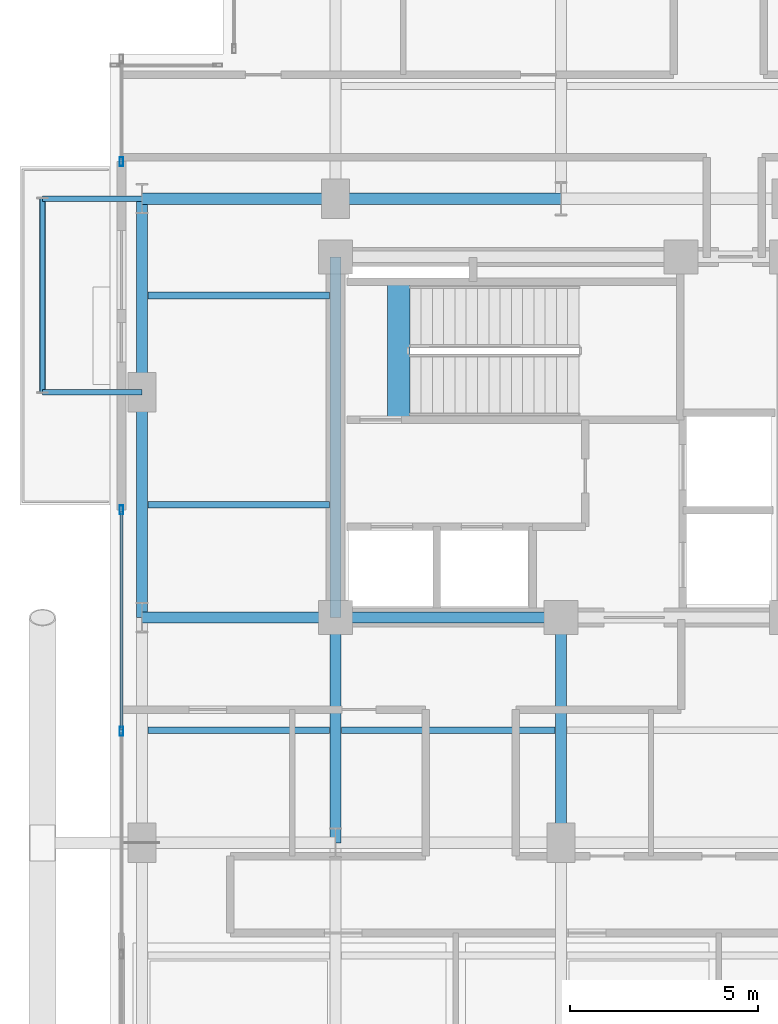
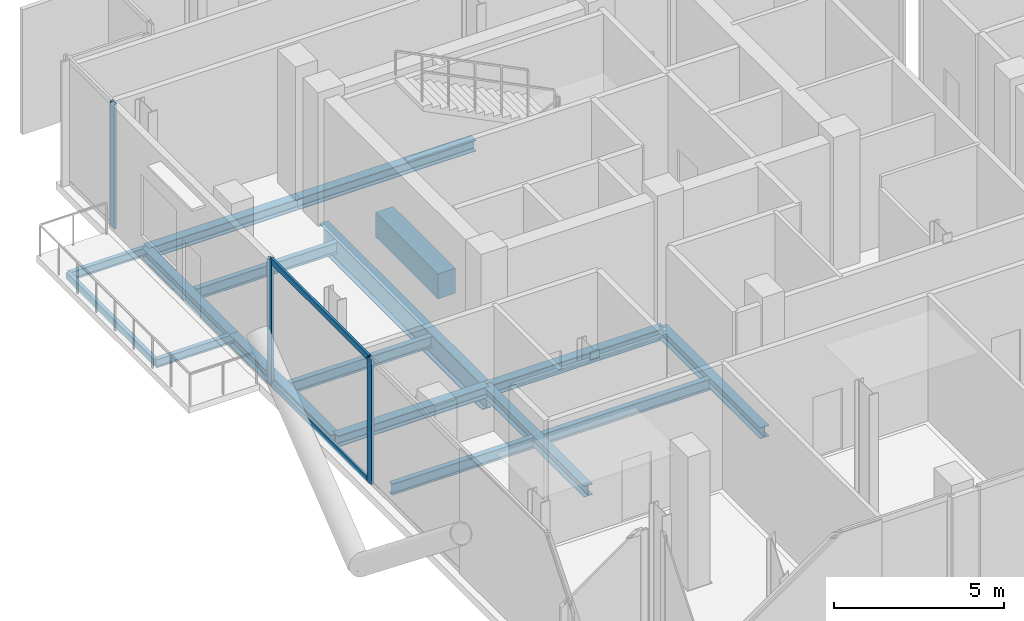
# One storey, part 5 of 22: 17 beams, 5 members, 2 elements without a shape of their own.
"""IFC4 building model written with IfcOpenShell, lengths in metres."""

from ifc_helpers import new_model, si_unit, direction, frame, origin, origin_2d, place, context, subcontext, project, spatial, rectangle, hollow_rectangle, i_section, extrude, material, layer, layer_set, material_profile, profile_set, type_object, element, aggregate, save


model = new_model("IFC4")

# Units and contexts
model_context = context("Model", 3, precision=1e-05, world=origin(), true_north=direction((0.0, 1.0)))
body_context = subcontext(model_context, "Body", "Model", "MODEL_VIEW")
ifc_project = project(units=[si_unit("LENGTHUNIT", "METRE"), si_unit("AREAUNIT", "SQUARE_METRE"), si_unit("VOLUMEUNIT", "CUBIC_METRE"), si_unit("PLANEANGLEUNIT", "RADIAN"), si_unit("MASSUNIT", "GRAM", prefix="KILO"), si_unit("THERMODYNAMICTEMPERATUREUNIT", "KELVIN"), si_unit("POWERUNIT", "WATT")], contexts=[model_context])

# Site, building, storey
site_placement = place(None, origin())
site = spatial("IfcSite", under=ifc_project, at=site_placement, CompositionType="ELEMENT")
building_placement = place(site_placement, origin())
building = spatial("IfcBuilding", under=site, at=building_placement, Name="Svarakhadi Broadcast Tower", CompositionType="ELEMENT")
storey_placement = place(building_placement, frame((0.0, 0.0, 199.199951171875)))
storey = spatial("IfcBuildingStorey", under=building, at=storey_placement, Name="L49", CompositionType="ELEMENT", Elevation=199.199951171875)

# Beams
ifc_material_1 = material(Name="Steel S355J2 (IS 2062 E350C)", Category="steel")
ifc_material_profile_1 = material_profile(ifc_material_1, i_section(OverallWidth=0.179931640625, OverallDepth=0.39990234375, WebThickness=0.008544921875, FlangeThickness=0.013427734375, FilletRadius=0.02099609375, at=origin_2d()), Name="NPB 400x180x66")
ifc_profile_set_1 = profile_set([ifc_material_profile_1], Name="Steel S355J2 (IS 2062 E350C)")
beam_type_1 = type_object("IfcBeamType", Name="Beam_NPB400", PredefinedType="BEAM", material=ifc_profile_set_1)
for number, where, z_axis, x_axis, name in (
    (1, (1.010009765625, 15.0, -0.474853515625), (1.0, 0.0, 0.0), (0.0, 1.0, 0.0), "L49 Secondary Composite Beam SB002"),
    (2, (1.010009765625, 21.0, -0.474853515625), (1.0, 0.0, 0.0), (0.0, 1.0, 0.0), "L49 Secondary Composite Beam SB003"),
    (3, (1.010009765625, 26.574951171875, -0.474853515625), (1.0, 0.0, 0.0), (0.0, 1.0, 0.0), "L49 Secondary Composite Beam SB004"),
):
    element("IfcBeam", number, at=place(storey_placement, frame(where, z_axis=z_axis, x_axis=x_axis)), inside=storey, type_object=beam_type_1, Name=name, PredefinedType="BEAM", context=body_context, shape_type="SweptSolid", body=[
        extrude(i_section(OverallWidth=0.179931640625, OverallDepth=0.39990234375, WebThickness=0.008544921875, FlangeThickness=0.013427734375, FilletRadius=0.02099609375, at=origin_2d()), origin(), (0.0, 0.0, 1.0), 4.830078125),
    ])
beam_1_placement = place(storey_placement, frame((6.159912109375, 15.0, -0.474853515625), z_axis=(1.0, 0.0, 0.0), x_axis=(0.0, 1.0, 0.0)))
element("IfcBeam", 4, at=beam_1_placement, inside=storey, type_object=beam_type_1, Name="L49 Secondary Composite Beam SB007", PredefinedType="BEAM", context=body_context, shape_type="SweptSolid", body=[
    extrude(i_section(OverallWidth=0.179931640625, OverallDepth=0.39990234375, WebThickness=0.008544921875, FlangeThickness=0.013427734375, FilletRadius=0.02099609375, at=origin_2d()), origin(), (0.0, 0.0, 1.0), 5.68017578125),
])

# Curtain wall, members
ifc_material_2 = material(Name="Anodised Bronze Aluminium AA 6063-T6", Category="aluminium")
ifc_layer = layer(ifc_material_2, 0.239990234375)
ifc_layer_set = layer_set([ifc_layer], Name="Anodised Bronze Aluminium AA 6063-T6")
curtain_wall_type = type_object("IfcCurtainWallType", Name="CW_Sys_06", PredefinedType="NOTDEFINED", material=ifc_layer_set)
curtain_wall_1_placement = place(storey_placement, origin())
curtain_wall_1 = element("IfcCurtainWall", 5, at=curtain_wall_1_placement, inside=storey, type_object=curtain_wall_type, Name="L49 West Curtain Wall 02", PredefinedType="NOTDEFINED")
ifc_material_profile_2 = material_profile(ifc_material_2, hollow_rectangle(XDim=0.090087890625, YDim=0.239990234375, WallThickness=0.006103515625, at=origin_2d()), Name="ALU MULLION 240x90x6")
ifc_profile_set_2 = profile_set([ifc_material_profile_2], Name="Anodised Bronze Aluminium AA 6063-T6")
member_type_1 = type_object("IfcMemberType", Name="CW_Sys_06_Mul", PredefinedType="MULLION", material=ifc_profile_set_2)
member_1_placement = place(storey_placement, frame((0.300048828125, 14.969970703125, 0.0), z_axis=(0.0, 0.0, 1.0), x_axis=(-1.0, 0.0, 0.0)))
member_1 = element("IfcMember", 6, at=member_1_placement, type_object=member_type_1, Name="CW-06 mullion 3", PredefinedType="MULLION", context=body_context, shape_type="SweptSolid", body=[
    extrude(hollow_rectangle(XDim=0.090087890625, YDim=0.239990234375, WallThickness=0.006103515625, at=origin_2d()), origin(), (0.0, 0.0, 1.0), 4.5),
])
member_2_placement = place(storey_placement, frame((0.300048828125, 20.864990234375, 0.0), z_axis=(0.0, 0.0, 1.0), x_axis=(-1.0, 0.0, 0.0)))
member_2 = element("IfcMember", 7, at=member_2_placement, type_object=member_type_1, Name="CW-06 mullion 4", PredefinedType="MULLION", context=body_context, shape_type="SweptSolid", body=[
    extrude(hollow_rectangle(XDim=0.090087890625, YDim=0.239990234375, WallThickness=0.006103515625, at=origin_2d()), origin(), (0.0, 0.0, 1.0), 4.5),
])

# Curtain wall, member
curtain_wall_2_placement = place(storey_placement, origin())
curtain_wall_2 = element("IfcCurtainWall", 8, at=curtain_wall_2_placement, inside=storey, type_object=curtain_wall_type, Name="L49 West Curtain Wall 03", PredefinedType="NOTDEFINED")
member_3_placement = place(storey_placement, frame((0.300048828125, 30.135009765625, 0.0), z_axis=(0.0, 0.0, 1.0), x_axis=(-1.0, 0.0, 0.0)))
member_3 = element("IfcMember", 9, at=member_3_placement, type_object=member_type_1, Name="CW-06 mullion 1", PredefinedType="MULLION", context=body_context, shape_type="SweptSolid", body=[
    extrude(hollow_rectangle(XDim=0.090087890625, YDim=0.239990234375, WallThickness=0.006103515625, at=origin_2d()), origin(), (0.0, 0.0, 1.0), 4.5),
])
aggregate(curtain_wall_2, [member_3])

# Member
ifc_material_profile_3 = material_profile(ifc_material_2, hollow_rectangle(XDim=0.080078125, YDim=0.2099609375, WallThickness=0.0048828125, at=origin_2d()), Name="ALU TRANSOM 210x80x5")
ifc_profile_set_3 = profile_set([ifc_material_profile_3], Name="Anodised Bronze Aluminium AA 6063-T6")
member_type_2 = type_object("IfcMemberType", Name="CW_Sys_06_Trn", PredefinedType="USERDEFINED", material=ifc_profile_set_3)
member_4_placement = place(storey_placement, frame((0.300048828125, 15.014892578125, 0.0400390625), z_axis=(0.0, 1.0, 0.0), x_axis=(-1.0, 0.0, 0.0)))
member_4 = element("IfcMember", 10, at=member_4_placement, type_object=member_type_2, Name="CW-06 transom 3.1", ObjectType="TRANSOM", PredefinedType="USERDEFINED", context=body_context, shape_type="SweptSolid", body=[
    extrude(hollow_rectangle(XDim=0.080078125, YDim=0.2099609375, WallThickness=0.0048828125, at=origin_2d()), origin(), (0.0, 0.0, 1.0), 5.80517578125),
])

member_5_placement = place(storey_placement, frame((0.300048828125, 15.014892578125, 4.4599609375), z_axis=(0.0, 1.0, 0.0), x_axis=(-1.0, 0.0, 0.0)))
member_5 = element("IfcMember", 11, at=member_5_placement, type_object=member_type_2, Name="CW-06 transom 3.2", ObjectType="TRANSOM", PredefinedType="USERDEFINED", context=body_context, shape_type="SweptSolid", body=[
    extrude(hollow_rectangle(XDim=0.080078125, YDim=0.2099609375, WallThickness=0.0048828125, at=origin_2d()), origin(), (0.0, 0.0, 1.0), 5.80517578125),
])

aggregate(curtain_wall_1, [member_1, member_2, member_4, member_5])

# Beams
ifc_material_3 = material(Name="Concrete C50/60 (IS 456 M60)", Category="concrete")
ifc_material_profile_4 = material_profile(ifc_material_3, rectangle(XDim=0.60009765625, YDim=0.89990234375, at=origin_2d()), Name="RC 600x900")
ifc_profile_set_4 = profile_set([ifc_material_profile_4], Name="Concrete C50/60 (IS 456 M60)")
beam_type_2 = type_object("IfcBeamType", Name="Coupling_RC600", PredefinedType="USERDEFINED", material=ifc_profile_set_4)
beam_2_placement = place(storey_placement, frame((7.679931640625, 23.260009765625, -0.449951171875), z_axis=(0.0, 1.0, 0.0), x_axis=(-1.0, 0.0, 0.0)))
element("IfcBeam", 12, at=beam_2_placement, inside=storey, type_object=beam_type_2, Name="L49 Stair ST-01 Landing Throat Trimmer Beam CB-01", ObjectType="GIRDER", PredefinedType="USERDEFINED", context=body_context, shape_type="SweptSolid", body=[
    extrude(rectangle(XDim=0.60009765625, YDim=0.89990234375, at=origin_2d()), origin(), (0.0, 0.0, 1.0), 3.679931640625),
])
ifc_material_profile_5 = material_profile(ifc_material_1, i_section(OverallWidth=0.300048828125, OverallDepth=0.39990234375, WebThickness=0.013427734375, FlangeThickness=0.02392578125, FilletRadius=0.027099609375, at=origin_2d()), Name="WPB 400x300x155")
ifc_profile_set_5 = profile_set([ifc_material_profile_5], Name="Steel S355J2 (IS 2062 E350C)")
beam_type_3 = type_object("IfcBeamType", Name="Girder_WPB400", PredefinedType="USERDEFINED", material=ifc_profile_set_5)
beam_3_placement = place(storey_placement, frame((0.85009765625, 18.0, -0.474853515625), z_axis=(1.0, 0.0, 0.0), x_axis=(0.0, 1.0, 0.0)))
element("IfcBeam", 13, at=beam_3_placement, inside=storey, type_object=beam_type_3, Name="L49 Primary E-W Girder G020", ObjectType="GIRDER", PredefinedType="USERDEFINED", context=body_context, shape_type="SweptSolid", body=[
    extrude(i_section(OverallWidth=0.300048828125, OverallDepth=0.39990234375, WebThickness=0.013427734375, FlangeThickness=0.02392578125, FilletRadius=0.027099609375, at=origin_2d()), origin(), (0.0, 0.0, 1.0), 5.14990234375),
])
beam_4_placement = place(storey_placement, frame((6.0, 18.0, -0.474853515625), z_axis=(1.0, 0.0, 0.0), x_axis=(0.0, 1.0, 0.0)))
element("IfcBeam", 14, at=beam_4_placement, inside=storey, type_object=beam_type_3, Name="L49 Primary E-W Girder G021", ObjectType="GIRDER", PredefinedType="USERDEFINED", context=body_context, shape_type="SweptSolid", body=[
    extrude(i_section(OverallWidth=0.300048828125, OverallDepth=0.39990234375, WebThickness=0.013427734375, FlangeThickness=0.02392578125, FilletRadius=0.027099609375, at=origin_2d()), origin(), (0.0, 0.0, 1.0), 6.0),
])
beam_5_placement = place(storey_placement, frame((0.85009765625, 29.14990234375, -0.474853515625), z_axis=(1.0, 0.0, 0.0), x_axis=(0.0, 1.0, 0.0)))
element("IfcBeam", 15, at=beam_5_placement, inside=storey, type_object=beam_type_3, Name="L49 Primary E-W Girder G028", ObjectType="GIRDER", PredefinedType="USERDEFINED", context=body_context, shape_type="SweptSolid", body=[
    extrude(i_section(OverallWidth=0.300048828125, OverallDepth=0.39990234375, WebThickness=0.013427734375, FlangeThickness=0.02392578125, FilletRadius=0.027099609375, at=origin_2d()), origin(), (0.0, 0.0, 1.0), 5.14990234375),
])
for number, where, z_axis, x_axis, name in (
    (16, (6.0, 29.14990234375, -0.474853515625), (1.0, 0.0, 0.0), (0.0, 1.0, 0.0), "L49 Primary E-W Girder G029"),
    (17, (0.85009765625, 18.0, -0.474853515625), (0.0, 1.0, 0.0), (-1.0, 0.0, 0.0), "L49 Primary N-S Girder G035"),
):
    element("IfcBeam", number, at=place(storey_placement, frame(where, z_axis=z_axis, x_axis=x_axis)), inside=storey, type_object=beam_type_3, Name=name, ObjectType="GIRDER", PredefinedType="USERDEFINED", context=body_context, shape_type="SweptSolid", body=[
        extrude(i_section(OverallWidth=0.300048828125, OverallDepth=0.39990234375, WebThickness=0.013427734375, FlangeThickness=0.02392578125, FilletRadius=0.027099609375, at=origin_2d()), origin(), (0.0, 0.0, 1.0), 6.0),
    ])
beam_6_placement = place(storey_placement, frame((0.85009765625, 24.0, -0.474853515625), z_axis=(0.0, 1.0, 0.0), x_axis=(-1.0, 0.0, 0.0)))
element("IfcBeam", 18, at=beam_6_placement, inside=storey, type_object=beam_type_3, Name="L49 Primary N-S Girder G036", ObjectType="GIRDER", PredefinedType="USERDEFINED", context=body_context, shape_type="SweptSolid", body=[
    extrude(i_section(OverallWidth=0.300048828125, OverallDepth=0.39990234375, WebThickness=0.013427734375, FlangeThickness=0.02392578125, FilletRadius=0.027099609375, at=origin_2d()), origin(), (0.0, 0.0, 1.0), 5.14990234375),
])
for number, where, z_axis, x_axis, name in (
    (19, (6.0, 12.0, -0.474853515625), (0.0, 1.0, 0.0), (-1.0, 0.0, 0.0), "L49 Primary N-S Girder G039"),
    (20, (12.0, 12.0, -0.474853515625), (0.0, 1.0, 0.0), (-1.0, 0.0, 0.0), "L49 Primary N-S Girder G044"),
):
    element("IfcBeam", number, at=place(storey_placement, frame(where, z_axis=z_axis, x_axis=x_axis)), inside=storey, type_object=beam_type_3, Name=name, ObjectType="GIRDER", PredefinedType="USERDEFINED", context=body_context, shape_type="SweptSolid", body=[
        extrude(i_section(OverallWidth=0.300048828125, OverallDepth=0.39990234375, WebThickness=0.013427734375, FlangeThickness=0.02392578125, FilletRadius=0.027099609375, at=origin_2d()), origin(), (0.0, 0.0, 1.0), 6.0),
    ])
ifc_material_4 = material(Name="Steel S460ML (IS 2062 E450BR)", Category="steel")
ifc_material_profile_6 = material_profile(ifc_material_4, i_section(OverallWidth=0.300048828125, OverallDepth=0.89990234375, WebThickness=0.0185546875, FlangeThickness=0.034912109375, FilletRadius=0.030029296875, at=origin_2d()), Name="WPB 900x300x291")
ifc_profile_set_6 = profile_set([ifc_material_profile_6], Name="Steel S460ML (IS 2062 E450BR)")
beam_type_4 = type_object("IfcBeamType", Name="Girder_WPB900", PredefinedType="USERDEFINED", material=ifc_profile_set_6)
beam_7_placement = place(storey_placement, frame((6.0, 18.0, -0.724853515625), z_axis=(0.0, 1.0, 0.0), x_axis=(-1.0, 0.0, 0.0)))
element("IfcBeam", 21, at=beam_7_placement, inside=storey, type_object=beam_type_4, Name="L49 Primary N-S Girder G040", ObjectType="GIRDER", PredefinedType="USERDEFINED", context=body_context, shape_type="SweptSolid", body=[
    extrude(i_section(OverallWidth=0.300048828125, OverallDepth=0.89990234375, WebThickness=0.0185546875, FlangeThickness=0.034912109375, FilletRadius=0.030029296875, at=origin_2d()), origin(), (0.0, 0.0, 1.0), 9.60009765625),
])
ifc_material_profile_7 = material_profile(ifc_material_1, i_section(OverallWidth=0.14990234375, OverallDepth=0.300048828125, WebThickness=0.007080078125, FlangeThickness=0.0107421875, FilletRadius=0.014892578125, at=origin_2d()), Name="NPB 300x150x37")
ifc_profile_set_7 = profile_set([ifc_material_profile_7], Name="Steel S355J2 (IS 2062 E350C)")
beam_type_5 = type_object("IfcBeamType", Name="Spandrel_NPB300", PredefinedType="SPANDREL", material=ifc_profile_set_7)
for number, where, z_axis, x_axis, name in (
    (22, (0.85009765625, 24.0, -0.425048828125), (-1.0, 0.0, 0.0), (0.0, -1.0, 0.0), "L49 Balcony Cantilever Bracket 2A"),
    (23, (0.85009765625, 29.14990234375, -0.425048828125), (-1.0, 0.0, 0.0), (0.0, -1.0, 0.0), "L49 Balcony Cantilever Bracket 2B"),
):
    element("IfcBeam", number, at=place(storey_placement, frame(where, z_axis=z_axis, x_axis=x_axis)), inside=storey, type_object=beam_type_5, Name=name, PredefinedType="SPANDREL", context=body_context, shape_type="SweptSolid", body=[
        extrude(i_section(OverallWidth=0.14990234375, OverallDepth=0.300048828125, WebThickness=0.007080078125, FlangeThickness=0.0107421875, FilletRadius=0.014892578125, at=origin_2d()), origin(), (0.0, 0.0, 1.0), 2.650146484375),
    ])
ifc_material_profile_8 = material_profile(ifc_material_4, hollow_rectangle(XDim=0.14990234375, YDim=0.25, WallThickness=0.010009765625, InnerFilletRadius=0.010009765625, OuterFilletRadius=0.02001953125, at=origin_2d()), Name="RHS 250x150x10")
ifc_profile_set_8 = profile_set([ifc_material_profile_8], Name="Steel S460ML (IS 2062 E450BR)")
beam_type_6 = type_object("IfcBeamType", Name="Spandrel_RHS250", PredefinedType="SPANDREL", material=ifc_profile_set_8)
beam_8_placement = place(storey_placement, frame((-1.800048828125, 24.0, -0.39990234375), z_axis=(0.0, 1.0, 0.0), x_axis=(-1.0, 0.0, 0.0)))
element("IfcBeam", 24, at=beam_8_placement, inside=storey, type_object=beam_type_6, Name="L49 Balcony Outer Spandrel 2F", PredefinedType="SPANDREL", context=body_context, shape_type="SweptSolid", body=[
    extrude(hollow_rectangle(XDim=0.14990234375, YDim=0.25, WallThickness=0.010009765625, InnerFilletRadius=0.010009765625, OuterFilletRadius=0.02001953125, at=origin_2d()), origin(), (0.0, 0.0, 1.0), 5.14990234375),
])

save(model, "model.ifc")
